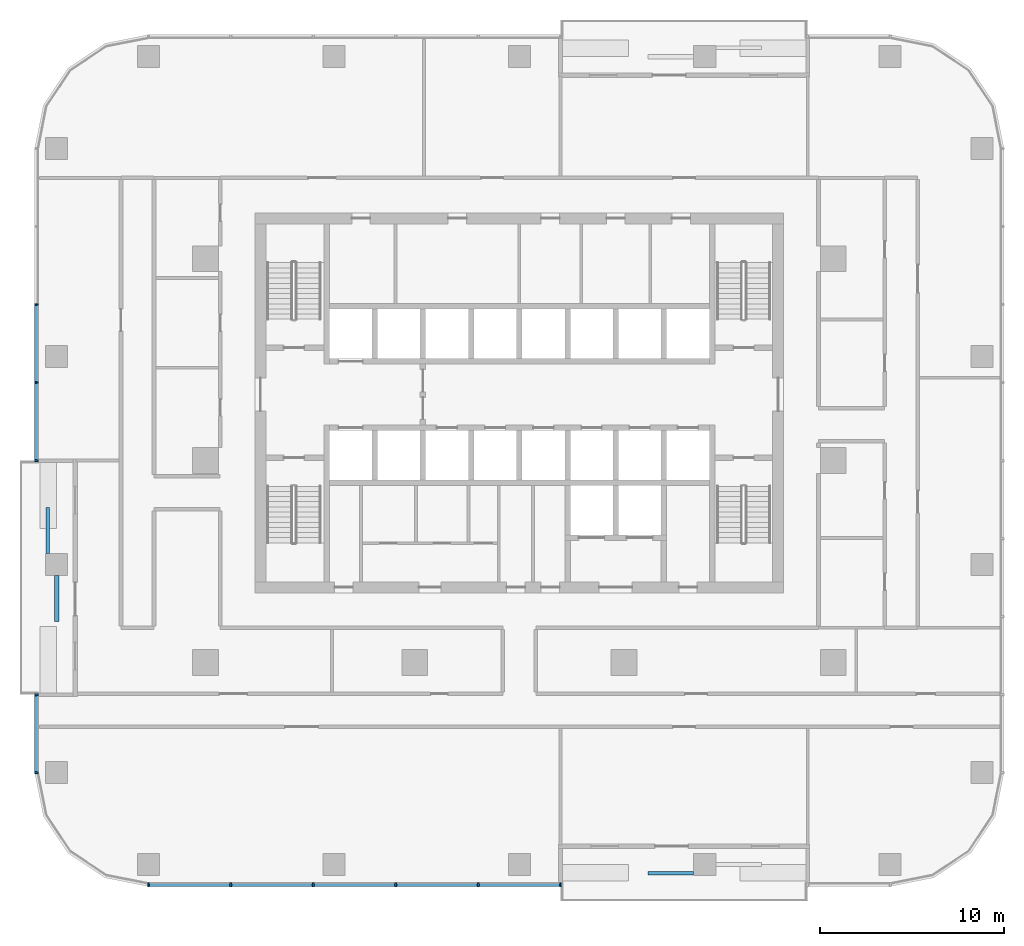
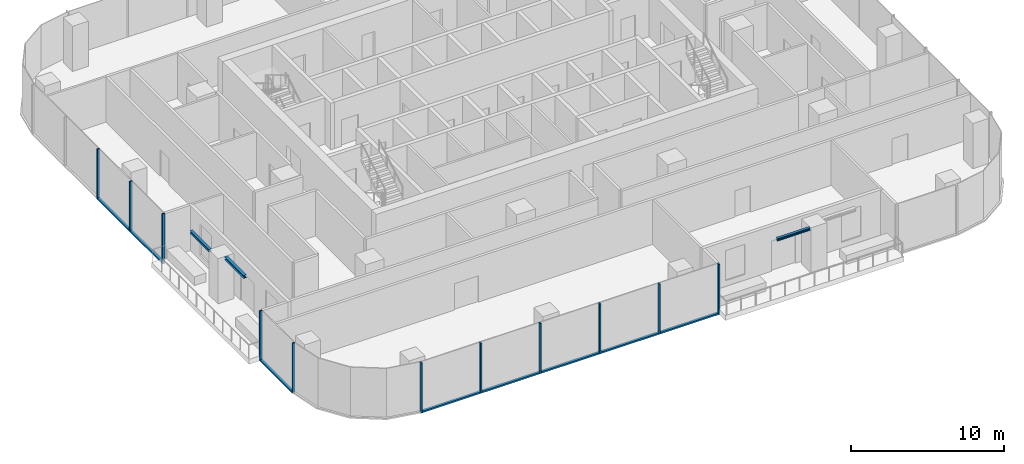
# One storey, part 2 of 14: 19 members, 3 beams, 3 elements without a shape of their own.
"""IFC4 building model written with IfcOpenShell, lengths in metres."""

import ifcopenshell
import ifcopenshell.guid

model = None  # the IFC model being written
_history = None  # IfcOwnerHistory: only IFC2X3 demands one
_inside = {}  # id of a spatial element -> (the spatial element, [elements in it])
_under = {}  # id of a project, library or spatial element -> (it, [spatial elements below it])
_declared = {}  # id of a project -> (the project, [libraries it declares])
_typed = {}  # id of a type object -> (the type object, [elements of that type])
_made_of = {}  # id of a material, layer set ... -> (it, [elements and type objects made of it])


def new_model(schema):
    """Start an empty IFC model of exactly this schema.

    Asked for "IFC4X3", IfcOpenShell would pick the latest addendum, in which some entities
    have other attributes; the version numbers below select the first issue.
    IFC2X3 requires an IfcOwnerHistory on every rooted entity: one is made here for all.
    """
    global model, _history
    if schema == "IFC4X3":
        model = ifcopenshell.file(schema_version=(4, 3, 0, 0))
    else:
        model = ifcopenshell.file(schema=schema)
    _inside.clear()
    _under.clear()
    _declared.clear()
    _typed.clear()
    _made_of.clear()
    _history = None
    if model.schema == "IFC2X3":
        org = make("IfcOrganization", Name="unknown")
        user = make(
            "IfcPersonAndOrganization",
            ThePerson=make("IfcPerson", FamilyName="unknown"),
            TheOrganization=org,
        )
        app = make(
            "IfcApplication",
            ApplicationDeveloper=org,
            Version="unknown",
            ApplicationFullName="unknown",
            ApplicationIdentifier="unknown",
        )
        _history = make(
            "IfcOwnerHistory",
            OwningUser=user,
            OwningApplication=app,
            ChangeAction="ADDED",
            CreationDate=0,
        )
    return model


def make(cls, **values):
    """One entity of the class cls with the attributes given. An attribute that is None is left unset."""
    return model.create_entity(
        cls, **{name: value for name, value in values.items() if value is not None}
    )


def rooted(cls, **values):
    """An entity with a GlobalId (a new one), such as an element, a storey or a relation."""
    return make(cls, GlobalId=ifcopenshell.guid.new(), OwnerHistory=_history, **values)


def si_unit(unit_type, name, prefix=None):
    """IfcSIUnit, for example si_unit("LENGTHUNIT", "METRE", prefix="MILLI")."""
    return make("IfcSIUnit", UnitType=unit_type, Prefix=prefix, Name=name)


def assignment(units):
    """IfcUnitAssignment: the units of a project."""
    return None if units is None else make("IfcUnitAssignment", Units=units)


def point(xyz):
    """IfcCartesianPoint."""
    return None if xyz is None else make("IfcCartesianPoint", Coordinates=xyz)


def direction(xyz):
    """IfcDirection."""
    return None if xyz is None else make("IfcDirection", DirectionRatios=xyz)


def frame(location, z_axis=None, x_axis=None):
    """IfcAxis2Placement3D, a coordinate frame: its origin and axes. An axis left out is left unset."""
    return make(
        "IfcAxis2Placement3D",
        Location=point(location),
        Axis=direction(z_axis),
        RefDirection=direction(x_axis),
    )


def frame_2d(location, x_axis=None):
    """IfcAxis2Placement2D, a coordinate frame in the plane: its origin and x axis."""
    return make(
        "IfcAxis2Placement2D", Location=point(location), RefDirection=direction(x_axis)
    )


def origin():
    """The frame at (0, 0, 0) with its axes left unset."""
    return frame((0.0, 0.0, 0.0))


def origin_2d():
    """The frame at (0, 0) in the plane with its x axis left unset."""
    return frame_2d((0.0, 0.0))


def place(relative_to, where):
    """IfcLocalPlacement: puts the frame where relative to a parent placement (None: the world)."""
    return make(
        "IfcLocalPlacement", PlacementRelTo=relative_to, RelativePlacement=where
    )


def context(
    kind, dimensions, precision=None, world=None, true_north=None, identifier=None
):
    """IfcGeometricRepresentationContext, for example the 3D "Model" context."""
    return make(
        "IfcGeometricRepresentationContext",
        ContextIdentifier=identifier,
        ContextType=kind,
        CoordinateSpaceDimension=dimensions,
        Precision=precision,
        WorldCoordinateSystem=world,
        TrueNorth=true_north,
    )


def subcontext(parent, identifier, kind, view, scale=None):
    """IfcGeometricRepresentationSubContext, for example "Body" below "Model"."""
    return make(
        "IfcGeometricRepresentationSubContext",
        ContextIdentifier=identifier,
        ContextType=kind,
        ParentContext=parent,
        TargetScale=scale,
        TargetView=view,
    )


def project(units=None, contexts=None):
    """IfcProject with its units and contexts."""
    return rooted(
        "IfcProject",
        Name="project",
        RepresentationContexts=contexts,
        UnitsInContext=assignment(units),
    )


def spatial(cls, under=None, at=None, **own):
    """A site, building, storey or space (cls), placed at a placement, below another one or the project."""
    s = rooted(cls, ObjectPlacement=at, **own)
    if under is not None:
        _under.setdefault(under.id(), (under, []))[1].append(s)
    return s


def profile(cls, at=None, kind="AREA", **sizes):
    """A parametric profile (cls). Its sizes go by their IFC names, for example OverallWidth=200.0."""
    return make(cls, ProfileType=kind, Position=at, **sizes)


def rectangle(**sizes):
    """IfcRectangleProfileDef."""
    return profile("IfcRectangleProfileDef", **sizes)


def i_section(**sizes):
    """IfcIShapeProfileDef."""
    return profile("IfcIShapeProfileDef", **sizes)


def extrude(swept, where, along, depth):
    """IfcExtrudedAreaSolid: the profile swept, set in the frame where, extruded along a direction by depth."""
    return make(
        "IfcExtrudedAreaSolid",
        SweptArea=swept,
        Position=where,
        ExtrudedDirection=direction(along),
        Depth=depth,
    )


def shape(context_of_items, identifier, shape_type, items):
    """IfcShapeRepresentation: the items that make up one representation, for example the "Body"."""
    return make(
        "IfcShapeRepresentation",
        ContextOfItems=context_of_items,
        RepresentationIdentifier=identifier,
        RepresentationType=shape_type,
        Items=items,
    )


def material(Name=None, Category=None):
    """IfcMaterial."""
    return make("IfcMaterial", Name=Name, Category=Category)


def material_profile(
    of_material, cross_section, Name=None, Category=None, Priority=None
):
    """IfcMaterialProfile: a cross section and its material."""
    return make(
        "IfcMaterialProfile",
        Name=Name,
        Material=of_material,
        Profile=cross_section,
        Priority=Priority,
        Category=Category,
    )


def profile_set(profiles, Name=None, composite=None):
    """IfcMaterialProfileSet."""
    return make(
        "IfcMaterialProfileSet",
        Name=Name,
        MaterialProfiles=profiles,
        CompositeProfile=composite,
    )


def made_of(thing, what):
    """Note that an element or type object is made of a material, layer set ...; save() writes the relation."""
    if what is not None:
        _made_of.setdefault(what.id(), (what, []))[1].append(thing)
    return thing


def type_object(cls, material=None, **own):
    """A type object (cls), such as IfcWallType, which elements share."""
    return made_of(rooted(cls, **own), material)


def element(
    cls,
    number,
    at=None,
    inside=None,
    cuts=None,
    type_object=None,
    material=None,
    context=None,
    identifier="Body",
    shape_type=None,
    held_by="IfcProductDefinitionShape",
    body=None,
    shapes=None,
    **own,
):
    """One element of the class cls, such as IfcWall. Its Tag is "e" and its number.

    at: its placement. inside: the storey or other place that contains it. cuts: it is an
    opening in that element (IfcRelVoidsElement). A single representation is given by context,
    identifier, shape_type and body (its items); several are given by shapes. held_by: the class
    of the entity that holds the representations. save() writes the other relations.
    """
    e = rooted(cls, Tag="e%d" % number, ObjectPlacement=at, **own)
    if body is not None:
        shapes = [shape(context, identifier, shape_type, body)]
    if shapes is not None:
        e.Representation = make(held_by, Representations=shapes)
    if inside is not None:
        _inside.setdefault(inside.id(), (inside, []))[1].append(e)
    if cuts is not None:
        rooted(
            "IfcRelVoidsElement", RelatingBuildingElement=cuts, RelatedOpeningElement=e
        )
    if type_object is not None:
        _typed.setdefault(type_object.id(), (type_object, []))[1].append(e)
    return made_of(e, material)


def aggregate(whole, parts):
    """IfcRelAggregates: a whole, such as a stair, and the parts it consists of."""
    return rooted("IfcRelAggregates", RelatingObject=whole, RelatedObjects=parts)


def save(model, path):
    """Write the relations noted so far, then the file.

    IfcRelAggregates (storeys below a building ...), IfcRelContainedInSpatialStructure (elements
    in a storey), IfcRelDefinesByType, IfcRelAssociatesMaterial and IfcRelDeclares: one each for
    every whole, place, type object, material and project.
    """
    for whole, parts in _under.values():
        aggregate(whole, parts)
    for where, things in _inside.values():
        rooted(
            "IfcRelContainedInSpatialStructure",
            RelatedElements=things,
            RelatingStructure=where,
        )
    for kind, things in _typed.values():
        rooted("IfcRelDefinesByType", RelatedObjects=things, RelatingType=kind)
    for what, things in _made_of.values():
        rooted("IfcRelAssociatesMaterial", RelatedObjects=things, RelatingMaterial=what)
    for by, libraries in _declared.values():
        rooted("IfcRelDeclares", RelatingContext=by, RelatedDefinitions=libraries)
    model.write(path)


model = new_model("IFC4")

# Units and contexts
model_context = context("Model", 3, precision=1e-05, world=origin(), true_north=direction((0.0, 1.0)))
body_context = subcontext(model_context, "Body", "Model", "MODEL_VIEW")
ifc_project = project(units=[si_unit("LENGTHUNIT", "METRE"), si_unit("AREAUNIT", "SQUARE_METRE"), si_unit("VOLUMEUNIT", "CUBIC_METRE"), si_unit("PLANEANGLEUNIT", "RADIAN"), si_unit("MASSUNIT", "GRAM", prefix="KILO")], contexts=[model_context])

# Site, building, storey
site_placement = place(None, origin())
site = spatial("IfcSite", under=ifc_project, at=site_placement, CompositionType="ELEMENT")
building_placement = place(site_placement, origin())
building = spatial("IfcBuilding", under=site, at=building_placement, Name="Mopane Tessera Tower", CompositionType="ELEMENT")
storey_placement = place(building_placement, frame((0.0, 0.0, 189.0)))
storey = spatial("IfcBuildingStorey", under=building, at=storey_placement, Name="L39", CompositionType="ELEMENT", Elevation=189.0)

# Curtain wall, members
ifc_material_1 = material(Name="Aluminium frame", Category="aluminium")
curtain_wall_type = type_object("IfcCurtainWallType", Name="Unitised curtain wall", PredefinedType="NOTDEFINED", material=ifc_material_1)
curtain_wall_1_placement = place(storey_placement, origin())
curtain_wall_1 = element("IfcCurtainWall", 1, at=curtain_wall_1_placement, inside=storey, type_object=curtain_wall_type, Name="e:cw:L39:S:0", PredefinedType="NOTDEFINED")
ifc_material_2 = material(Name="Aluminium frame", Category="aluminium")
ifc_material_profile_1 = material_profile(ifc_material_2, rectangle(XDim=0.10009765625, YDim=0.199951171875, at=origin_2d()))
ifc_profile_set_1 = profile_set([ifc_material_profile_1], Name="Aluminium frame")
member_type_1 = type_object("IfcMemberType", Name="Aluminium mullion 100 x 200", PredefinedType="MULLION", material=ifc_profile_set_1)
member_1_placement = place(storey_placement, frame((-20.199951171875, -23.10009765625, -0.39990234375), z_axis=(0.0, 0.0, 1.0), x_axis=(1.0, 0.0, 0.0)))
member_1 = element("IfcMember", 2, at=member_1_placement, type_object=member_type_1, Name="e:cw:L39:S:0:mu0", PredefinedType="MULLION", context=body_context, shape_type="SweptSolid", body=[
    extrude(rectangle(XDim=0.10009765625, YDim=0.199951171875, at=origin_2d()), origin(), (0.0, 0.0, 1.0), 4.0),
])
member_2_placement = place(storey_placement, frame((-15.711181640625, -23.10009765625, -0.39990234375), z_axis=(0.0, 0.0, 1.0), x_axis=(1.0, 0.0, 0.0)))
member_2 = element("IfcMember", 3, at=member_2_placement, type_object=member_type_1, Name="e:cw:L39:S:0:mu1", PredefinedType="MULLION", context=body_context, shape_type="SweptSolid", body=[
    extrude(rectangle(XDim=0.10009765625, YDim=0.199951171875, at=origin_2d()), origin(), (0.0, 0.0, 1.0), 4.0),
])
member_3_placement = place(storey_placement, frame((-11.22216796875, -23.10009765625, -0.39990234375), z_axis=(0.0, 0.0, 1.0), x_axis=(1.0, 0.0, 0.0)))
member_3 = element("IfcMember", 4, at=member_3_placement, type_object=member_type_1, Name="e:cw:L39:S:0:mu2", PredefinedType="MULLION", context=body_context, shape_type="SweptSolid", body=[
    extrude(rectangle(XDim=0.10009765625, YDim=0.199951171875, at=origin_2d()), origin(), (0.0, 0.0, 1.0), 4.0),
])
member_4_placement = place(storey_placement, frame((-6.7333984375, -23.10009765625, -0.39990234375), z_axis=(0.0, 0.0, 1.0), x_axis=(1.0, 0.0, 0.0)))
member_4 = element("IfcMember", 5, at=member_4_placement, type_object=member_type_1, Name="e:cw:L39:S:0:mu3", PredefinedType="MULLION", context=body_context, shape_type="SweptSolid", body=[
    extrude(rectangle(XDim=0.10009765625, YDim=0.199951171875, at=origin_2d()), origin(), (0.0, 0.0, 1.0), 4.0),
])
member_5_placement = place(storey_placement, frame((-2.244384765625, -23.10009765625, -0.39990234375), z_axis=(0.0, 0.0, 1.0), x_axis=(1.0, 0.0, 0.0)))
member_5 = element("IfcMember", 6, at=member_5_placement, type_object=member_type_1, Name="e:cw:L39:S:0:mu4", PredefinedType="MULLION", context=body_context, shape_type="SweptSolid", body=[
    extrude(rectangle(XDim=0.10009765625, YDim=0.199951171875, at=origin_2d()), origin(), (0.0, 0.0, 1.0), 4.0),
])
member_6_placement = place(storey_placement, frame((2.244384765625, -23.10009765625, -0.39990234375), z_axis=(0.0, 0.0, 1.0), x_axis=(1.0, 0.0, 0.0)))
member_6 = element("IfcMember", 7, at=member_6_placement, type_object=member_type_1, Name="e:cw:L39:S:0:mu5", PredefinedType="MULLION", context=body_context, shape_type="SweptSolid", body=[
    extrude(rectangle(XDim=0.10009765625, YDim=0.199951171875, at=origin_2d()), origin(), (0.0, 0.0, 1.0), 4.0),
])

curtain_wall_2_placement = place(storey_placement, origin())
curtain_wall_2 = element("IfcCurtainWall", 8, at=curtain_wall_2_placement, inside=storey, type_object=curtain_wall_type, Name="e:cw:L39:W:0", PredefinedType="NOTDEFINED")
member_7_placement = place(storey_placement, frame((-26.300048828125, 8.5, -0.39990234375), z_axis=(0.0, 0.0, 1.0), x_axis=(0.0, -1.0, 0.0)))
member_7 = element("IfcMember", 9, at=member_7_placement, type_object=member_type_1, Name="e:cw:L39:W:0:mu2", PredefinedType="MULLION", context=body_context, shape_type="SweptSolid", body=[
    extrude(rectangle(XDim=0.10009765625, YDim=0.199951171875, at=origin_2d()), origin(), (0.0, 0.0, 1.0), 4.0),
])
member_8_placement = place(storey_placement, frame((-26.300048828125, 4.25, -0.39990234375), z_axis=(0.0, 0.0, 1.0), x_axis=(0.0, -1.0, 0.0)))
member_8 = element("IfcMember", 10, at=member_8_placement, type_object=member_type_1, Name="e:cw:L39:W:0:mu3", PredefinedType="MULLION", context=body_context, shape_type="SweptSolid", body=[
    extrude(rectangle(XDim=0.10009765625, YDim=0.199951171875, at=origin_2d()), origin(), (0.0, 0.0, 1.0), 4.0),
])
member_9_placement = place(storey_placement, frame((-26.300048828125, 0.0, -0.39990234375), z_axis=(0.0, 0.0, 1.0), x_axis=(0.0, -1.0, 0.0)))
member_9 = element("IfcMember", 11, at=member_9_placement, type_object=member_type_1, Name="e:cw:L39:W:0:mu4", PredefinedType="MULLION", context=body_context, shape_type="SweptSolid", body=[
    extrude(rectangle(XDim=0.10009765625, YDim=0.199951171875, at=origin_2d()), origin(), (0.0, 0.0, 1.0), 4.0),
])

curtain_wall_3_placement = place(storey_placement, origin())
curtain_wall_3 = element("IfcCurtainWall", 12, at=curtain_wall_3_placement, inside=storey, type_object=curtain_wall_type, Name="e:cw:L39:W:7", PredefinedType="NOTDEFINED")
member_10_placement = place(storey_placement, frame((-26.300048828125, -12.75, -0.39990234375), z_axis=(0.0, 0.0, 1.0), x_axis=(0.0, -1.0, 0.0)))
member_10 = element("IfcMember", 13, at=member_10_placement, type_object=member_type_1, Name="e:cw:L39:W:7:mu7", PredefinedType="MULLION", context=body_context, shape_type="SweptSolid", body=[
    extrude(rectangle(XDim=0.10009765625, YDim=0.199951171875, at=origin_2d()), origin(), (0.0, 0.0, 1.0), 4.0),
])
member_11_placement = place(storey_placement, frame((-26.300048828125, -17.0, -0.39990234375), z_axis=(0.0, 0.0, 1.0), x_axis=(0.0, -1.0, 0.0)))
member_11 = element("IfcMember", 14, at=member_11_placement, type_object=member_type_1, Name="e:cw:L39:W:7:mu8", PredefinedType="MULLION", context=body_context, shape_type="SweptSolid", body=[
    extrude(rectangle(XDim=0.10009765625, YDim=0.199951171875, at=origin_2d()), origin(), (0.0, 0.0, 1.0), 4.0),
])

# Member
ifc_material_3 = material(Name="Aluminium frame", Category="aluminium")
ifc_material_profile_2 = material_profile(ifc_material_3, rectangle(XDim=0.199951171875, YDim=0.1201171875, at=origin_2d()))
ifc_profile_set_2 = profile_set([ifc_material_profile_2], Name="Aluminium frame")
member_type_2 = type_object("IfcMemberType", Name="Aluminium transom 200 x 120", PredefinedType="USERDEFINED", material=ifc_profile_set_2)
member_12_placement = place(storey_placement, frame((-20.14990234375, -23.10009765625, -0.340087890625), z_axis=(1.0, 0.0, 0.0), x_axis=(0.0, 1.0, 0.0)))
member_12 = element("IfcMember", 15, at=member_12_placement, type_object=member_type_2, Name="e:cw:L39:S:0:tr0", ObjectType="TRANSOM", PredefinedType="USERDEFINED", context=body_context, shape_type="SweptSolid", body=[
    extrude(rectangle(XDim=0.199951171875, YDim=0.1201171875, at=origin_2d()), origin(), (0.0, 0.0, 1.0), 4.388671875),
])

member_13_placement = place(storey_placement, frame((-15.6611328125, -23.10009765625, -0.340087890625), z_axis=(1.0, 0.0, 0.0), x_axis=(0.0, 1.0, 0.0)))
member_13 = element("IfcMember", 16, at=member_13_placement, type_object=member_type_2, Name="e:cw:L39:S:0:tr1", ObjectType="TRANSOM", PredefinedType="USERDEFINED", context=body_context, shape_type="SweptSolid", body=[
    extrude(rectangle(XDim=0.199951171875, YDim=0.1201171875, at=origin_2d()), origin(), (0.0, 0.0, 1.0), 4.388916015625),
])

member_14_placement = place(storey_placement, frame((-11.172119140625, -23.10009765625, -0.340087890625), z_axis=(1.0, 0.0, 0.0), x_axis=(0.0, 1.0, 0.0)))
member_14 = element("IfcMember", 17, at=member_14_placement, type_object=member_type_2, Name="e:cw:L39:S:0:tr2", ObjectType="TRANSOM", PredefinedType="USERDEFINED", context=body_context, shape_type="SweptSolid", body=[
    extrude(rectangle(XDim=0.199951171875, YDim=0.1201171875, at=origin_2d()), origin(), (0.0, 0.0, 1.0), 4.388671875),
])

member_15_placement = place(storey_placement, frame((-6.683349609375, -23.10009765625, -0.340087890625), z_axis=(1.0, 0.0, 0.0), x_axis=(0.0, 1.0, 0.0)))
member_15 = element("IfcMember", 18, at=member_15_placement, type_object=member_type_2, Name="e:cw:L39:S:0:tr3", ObjectType="TRANSOM", PredefinedType="USERDEFINED", context=body_context, shape_type="SweptSolid", body=[
    extrude(rectangle(XDim=0.199951171875, YDim=0.1201171875, at=origin_2d()), origin(), (0.0, 0.0, 1.0), 4.388916015625),
])

member_16_placement = place(storey_placement, frame((-2.1943359375, -23.10009765625, -0.340087890625), z_axis=(1.0, 0.0, 0.0), x_axis=(0.0, 1.0, 0.0)))
member_16 = element("IfcMember", 19, at=member_16_placement, type_object=member_type_2, Name="e:cw:L39:S:0:tr4", ObjectType="TRANSOM", PredefinedType="USERDEFINED", context=body_context, shape_type="SweptSolid", body=[
    extrude(rectangle(XDim=0.199951171875, YDim=0.1201171875, at=origin_2d()), origin(), (0.0, 0.0, 1.0), 4.388671875),
])

aggregate(curtain_wall_1, [member_1, member_2, member_3, member_4, member_5, member_6, member_12, member_13, member_14, member_15, member_16])

member_17_placement = place(storey_placement, frame((-26.300048828125, 8.449951171875, -0.340087890625), z_axis=(0.0, -1.0, 0.0), x_axis=(1.0, 0.0, 0.0)))
member_17 = element("IfcMember", 20, at=member_17_placement, type_object=member_type_2, Name="e:cw:L39:W:0:tr2", ObjectType="TRANSOM", PredefinedType="USERDEFINED", context=body_context, shape_type="SweptSolid", body=[
    extrude(rectangle(XDim=0.199951171875, YDim=0.1201171875, at=origin_2d()), origin(), (0.0, 0.0, 1.0), 4.14990234375),
])

member_18_placement = place(storey_placement, frame((-26.300048828125, 4.199951171875, -0.340087890625), z_axis=(0.0, -1.0, 0.0), x_axis=(1.0, 0.0, 0.0)))
member_18 = element("IfcMember", 21, at=member_18_placement, type_object=member_type_2, Name="e:cw:L39:W:0:tr3", ObjectType="TRANSOM", PredefinedType="USERDEFINED", context=body_context, shape_type="SweptSolid", body=[
    extrude(rectangle(XDim=0.199951171875, YDim=0.1201171875, at=origin_2d()), origin(), (0.0, 0.0, 1.0), 4.14990234375),
])

aggregate(curtain_wall_2, [member_7, member_8, member_9, member_17, member_18])

member_19_placement = place(storey_placement, frame((-26.300048828125, -12.800048828125, -0.340087890625), z_axis=(0.0, -1.0, 0.0), x_axis=(1.0, 0.0, 0.0)))
member_19 = element("IfcMember", 22, at=member_19_placement, type_object=member_type_2, Name="e:cw:L39:W:7:tr7", ObjectType="TRANSOM", PredefinedType="USERDEFINED", context=body_context, shape_type="SweptSolid", body=[
    extrude(rectangle(XDim=0.199951171875, YDim=0.1201171875, at=origin_2d()), origin(), (0.0, 0.0, 1.0), 4.14990234375),
])

aggregate(curtain_wall_3, [member_10, member_11, member_19])

# Beams
ifc_material_4 = material(Name="Structural steel S460", Category="steel")
ifc_material_profile_3 = material_profile(ifc_material_4, i_section(OverallWidth=0.239990234375, OverallDepth=0.239990234375, WebThickness=0.010009765625, FlangeThickness=0.01708984375, FilletRadius=0.02099609375, at=origin_2d()))
ifc_profile_set_3 = profile_set([ifc_material_profile_3], Name="Structural steel S460")
beam_type_1 = type_object("IfcBeamType", Name="Terrace spandrel beam HE 240 B", PredefinedType="SPANDREL", material=ifc_profile_set_3)
beam_placement = place(storey_placement, frame((-25.199951171875, -6.269775390625, 3.47998046875), z_axis=(0.0, -1.0, 0.0), x_axis=(1.0, 0.0, 0.0)))
element("IfcBeam", 23, at=beam_placement, inside=storey, type_object=beam_type_1, Name="Terrace spandrel beam N1 L40", PredefinedType="SPANDREL", context=body_context, shape_type="SweptSolid", body=[
    extrude(i_section(OverallWidth=0.239990234375, OverallDepth=0.239990234375, WebThickness=0.010009765625, FlangeThickness=0.01708984375, FilletRadius=0.02099609375, at=origin_2d()), origin(), (0.0, 0.0, 1.0), 2.5),
])
ifc_material_5 = material(Name="Structural steel S460", Category="steel")
ifc_material_profile_4 = material_profile(ifc_material_5, i_section(OverallWidth=0.199951171875, OverallDepth=0.199951171875, WebThickness=0.009033203125, FlangeThickness=0.014892578125, FilletRadius=0.01806640625, at=origin_2d()))
ifc_profile_set_4 = profile_set([ifc_material_profile_4], Name="Structural steel S460")
beam_type_2 = type_object("IfcBeamType", Name="Terrace trimmer beam HE 200 B", PredefinedType="BEAM", material=ifc_profile_set_4)
for number, where, z_axis, x_axis, name in (
    (24, (-25.679931640625, -5.063720703125, 3.5), (0.0, 1.0, 0.0), (-1.0, 0.0, 0.0), "Terrace trimmer beam N1 L40"),
    (25, (9.4970703125, -22.47998046875, 3.5), (-1.0, 0.0, 0.0), (0.0, -1.0, 0.0), "Terrace trimmer beam N2 L40"),
):
    element("IfcBeam", number, at=place(storey_placement, frame(where, z_axis=z_axis, x_axis=x_axis)), inside=storey, type_object=beam_type_2, Name=name, PredefinedType="BEAM", context=body_context, shape_type="SweptSolid", body=[
        extrude(i_section(OverallWidth=0.199951171875, OverallDepth=0.199951171875, WebThickness=0.009033203125, FlangeThickness=0.014892578125, FilletRadius=0.01806640625, at=origin_2d()), origin(), (0.0, 0.0, 1.0), 2.5),
    ])

save(model, "model.ifc")
